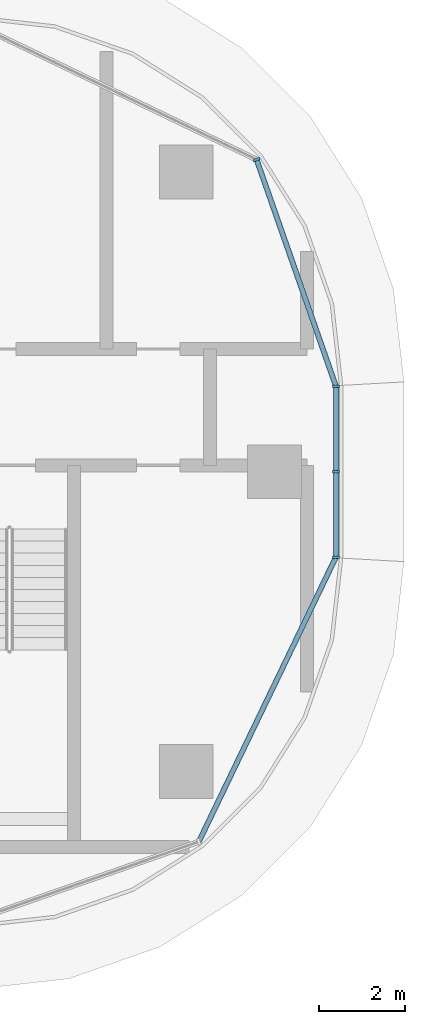
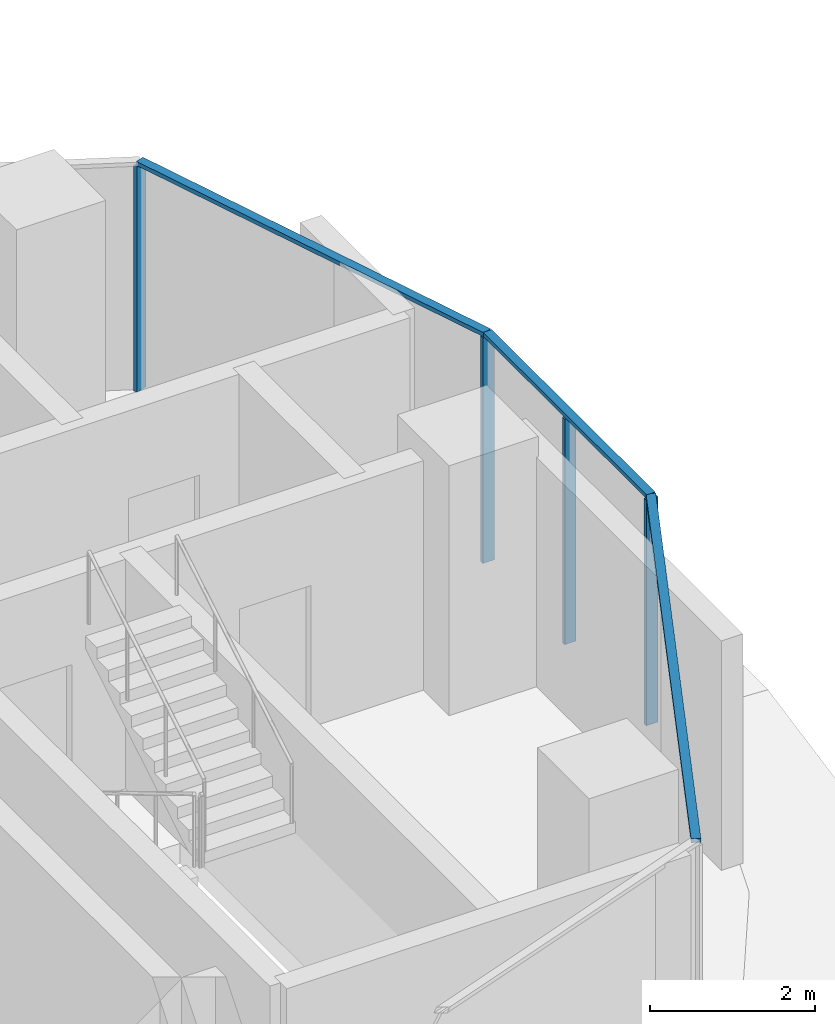
# One storey, part 7 of 25: 7 members, 3 elements without a shape of their own.
"""IFC4 building model written with IfcOpenShell, lengths in metres."""

from ifc_helpers import new_model, si_unit, direction, frame, origin, origin_2d, place, context, subcontext, project, spatial, rectangle, extrude, material, material_profile, profile_set, type_object, element, aggregate, save


model = new_model("IFC4")

# Units and contexts
model_context = context("Model", 3, precision=1e-05, world=origin(), true_north=direction((0.0, 1.0)))
body_context = subcontext(model_context, "Body", "Model", "MODEL_VIEW")
ifc_project = project(units=[si_unit("LENGTHUNIT", "METRE"), si_unit("AREAUNIT", "SQUARE_METRE"), si_unit("VOLUMEUNIT", "CUBIC_METRE"), si_unit("PLANEANGLEUNIT", "RADIAN"), si_unit("MASSUNIT", "GRAM", prefix="KILO")], contexts=[model_context])

# Site, building, storey
site_placement = place(None, origin())
site = spatial("IfcSite", under=ifc_project, at=site_placement, CompositionType="ELEMENT")
building_placement = place(site_placement, origin())
building = spatial("IfcBuilding", under=site, at=building_placement, Name="Ogive Portal Towers", CompositionType="ELEMENT")
storey_placement = place(building_placement, frame((0.0, 0.0, 105.60009765625)))
storey = spatial("IfcBuildingStorey", under=building, at=storey_placement, Name="L25", CompositionType="ELEMENT", Elevation=105.60009765625)

# Curtain wall, members
ifc_material_1 = material(Name="Glass, clear low-iron insulated glazing", Category="glass")
curtain_wall_type = type_object("IfcCurtainWallType", Name="CW FRONT RIBBON 4500", PredefinedType="NOTDEFINED", material=ifc_material_1)
curtain_wall_1_placement = place(storey_placement, origin())
curtain_wall_1 = element("IfcCurtainWall", 1, at=curtain_wall_1_placement, inside=storey, type_object=curtain_wall_type, Name="A:L25:f09:cw0", PredefinedType="NOTDEFINED")
ifc_material_2 = material(Name="Aluminium 6063 anodised", Category="aluminium")
ifc_material_profile_1 = material_profile(ifc_material_2, rectangle(XDim=0.159912109375, YDim=0.06005859375, at=origin_2d()), Name="AL 60x160")
ifc_profile_set_1 = profile_set([ifc_material_profile_1], Name="Aluminium 6063 anodised")
member_type_1 = type_object("IfcMemberType", Name="CW MULLION 60x160", PredefinedType="MULLION", material=ifc_profile_set_1)
member_1_placement = place(storey_placement, frame((95.919921875, 28.518310546875, 0.0), z_axis=(0.0, 0.0, 1.0), x_axis=(-1.0, 0.0, 0.0)))
member_1 = element("IfcMember", 2, at=member_1_placement, type_object=member_type_1, Name="mullion", PredefinedType="MULLION", context=body_context, shape_type="SweptSolid", body=[
    extrude(rectangle(XDim=0.159912109375, YDim=0.06005859375, at=origin_2d()), origin(), (0.0, 0.0, 1.0), 3.33984375),
])
member_2_placement = place(storey_placement, frame((95.919921875, 30.5, 0.0), z_axis=(0.0, 0.0, 1.0), x_axis=(-1.0, 0.0, 0.0)))
member_2 = element("IfcMember", 3, at=member_2_placement, type_object=member_type_1, Name="mullion", PredefinedType="MULLION", context=body_context, shape_type="SweptSolid", body=[
    extrude(rectangle(XDim=0.159912109375, YDim=0.06005859375, at=origin_2d()), origin(), (0.0, 0.0, 1.0), 3.33984375),
])
member_3_placement = place(storey_placement, frame((95.919921875, 32.486328125, 0.0), z_axis=(0.0, 0.0, 1.0), x_axis=(-1.0, 0.0, 0.0)))
member_3 = element("IfcMember", 4, at=member_3_placement, type_object=member_type_1, Name="mullion", PredefinedType="MULLION", context=body_context, shape_type="SweptSolid", body=[
    extrude(rectangle(XDim=0.159912109375, YDim=0.06005859375, at=origin_2d()), origin(), (0.0, 0.0, 1.0), 3.33984375),
])

# Curtain wall, member
curtain_wall_2_placement = place(storey_placement, origin())
curtain_wall_2 = element("IfcCurtainWall", 5, at=curtain_wall_2_placement, inside=storey, type_object=curtain_wall_type, Name="A:L25:f10:cwa", PredefinedType="NOTDEFINED")
member_4_placement = place(storey_placement, frame((94.0810546875, 37.741943359375, 0.0), z_axis=(0.0, 0.0, 1.0), x_axis=(-0.943883330307, -0.33027906196, 0.0)))
member_4 = element("IfcMember", 6, at=member_4_placement, type_object=member_type_1, Name="mullion", PredefinedType="MULLION", context=body_context, shape_type="SweptSolid", body=[
    extrude(rectangle(XDim=0.159912109375, YDim=0.06005859375, at=origin_2d()), origin(), (0.0, 0.0, 1.0), 3.33984375),
])

# Member
ifc_material_profile_2 = material_profile(ifc_material_2, rectangle(XDim=0.1201171875, YDim=0.06005859375, at=origin_2d()), Name="AL 120x60")
ifc_profile_set_2 = profile_set([ifc_material_profile_2], Name="Aluminium 6063 anodised")
member_type_2 = type_object("IfcMemberType", Name="CW TRANSOM 60x120", PredefinedType="USERDEFINED", material=ifc_profile_set_2)
member_5_placement = place(storey_placement, frame((95.919921875, 28.518310546875, 3.369873046875), z_axis=(0.0, 1.0, 0.0), x_axis=(-1.0, 0.0, 0.0)))
member_5 = element("IfcMember", 7, at=member_5_placement, type_object=member_type_2, Name="transom", ObjectType="TRANSOM", PredefinedType="USERDEFINED", context=body_context, shape_type="SweptSolid", body=[
    extrude(rectangle(XDim=0.1201171875, YDim=0.06005859375, at=origin_2d()), origin(), (0.0, 0.0, 1.0), 3.968017578125),
])

aggregate(curtain_wall_1, [member_5, member_1, member_2, member_3])

# Curtain wall, member
curtain_wall_3_placement = place(storey_placement, origin())
curtain_wall_3 = element("IfcCurtainWall", 8, at=curtain_wall_3_placement, inside=storey, type_object=curtain_wall_type, Name="A:L25:f07:cwa", PredefinedType="NOTDEFINED")
member_6_placement = place(storey_placement, frame((92.741943359375, 21.9189453125, 3.369873046875), z_axis=(0.433871738997, 0.900974646757, 0.0), x_axis=(-0.900974646757, 0.433871738997, 0.0)))
member_6 = element("IfcMember", 9, at=member_6_placement, type_object=member_type_2, Name="transom", ObjectType="TRANSOM", PredefinedType="USERDEFINED", context=body_context, shape_type="SweptSolid", body=[
    extrude(rectangle(XDim=0.1201171875, YDim=0.06005859375, at=origin_2d()), origin(), (0.0, 0.0, 1.0), 7.32470703125),
])
aggregate(curtain_wall_3, [member_6])

# Member
member_7_placement = place(storey_placement, frame((95.919921875, 32.486328125, 3.369873046875), z_axis=(-0.330254721593, 0.943891847017, 0.0), x_axis=(-0.943891847017, -0.330254721593, 0.0)))
member_7 = element("IfcMember", 10, at=member_7_placement, type_object=member_type_2, Name="transom", ObjectType="TRANSOM", PredefinedType="USERDEFINED", context=body_context, shape_type="SweptSolid", body=[
    extrude(rectangle(XDim=0.1201171875, YDim=0.06005859375, at=origin_2d()), origin(), (0.0, 0.0, 1.0), 5.568115234375),
])

aggregate(curtain_wall_2, [member_7, member_4])

save(model, "model.ifc")
